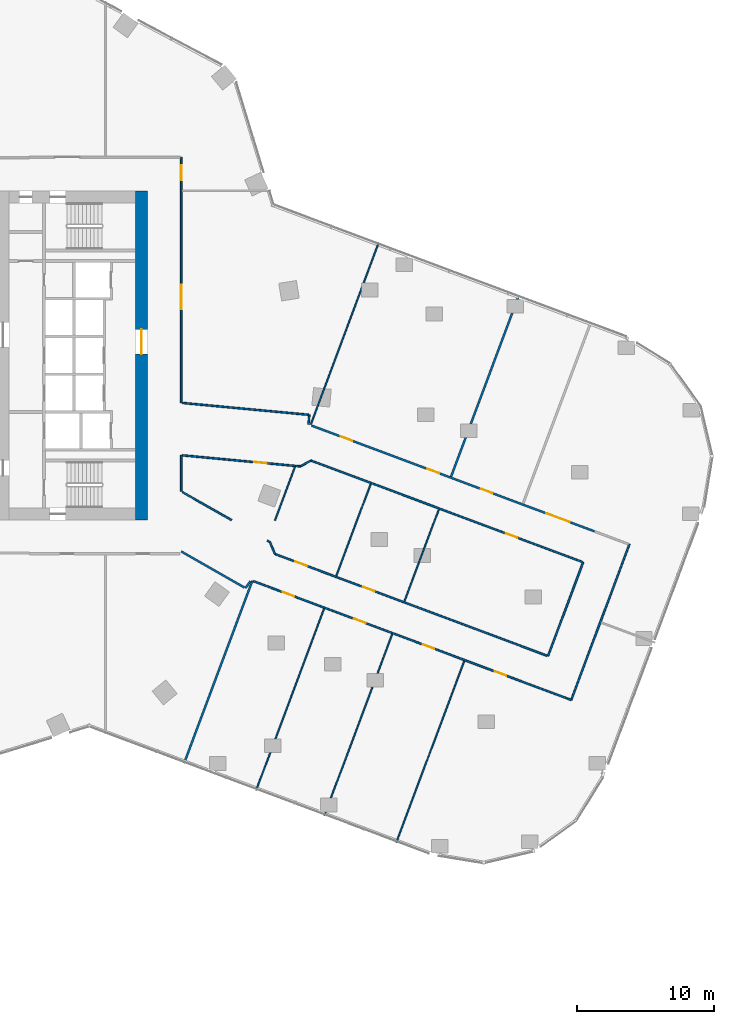
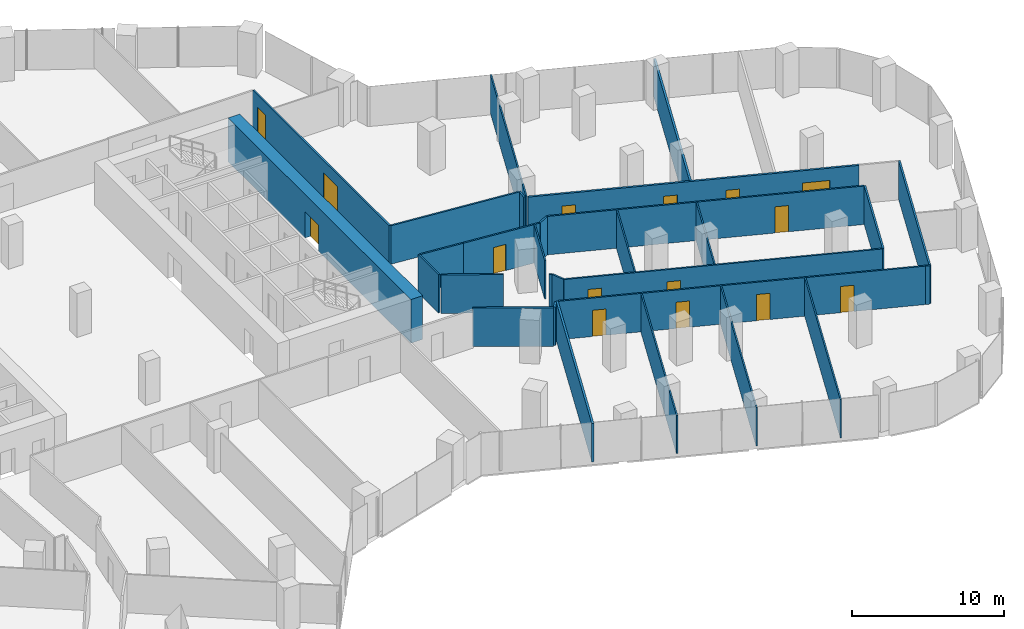
# One storey, part 26 of 31: 30 walls, 15 doors, 15 openings.
"""IFC4 building model written with IfcOpenShell, lengths in metres."""

from ifc_helpers import new_model, si_unit, direction, frame, frame_2d, origin, place, context, subcontext, project, spatial, rectangle, extrude, material, layer, layer_set, type_object, element, fill, save


model = new_model("IFC4")

# Units and contexts
model_context = context("Model", 3, precision=1e-05, world=origin(), true_north=direction((0.0, 1.0)))
body_context = subcontext(model_context, "Body", "Model", "MODEL_VIEW")
ifc_project = project(units=[si_unit("LENGTHUNIT", "METRE"), si_unit("AREAUNIT", "SQUARE_METRE"), si_unit("VOLUMEUNIT", "CUBIC_METRE"), si_unit("PLANEANGLEUNIT", "RADIAN"), si_unit("MASSUNIT", "GRAM", prefix="KILO")], contexts=[model_context])

# Site, building, storey
site_placement = place(None, origin())
site = spatial("IfcSite", under=ifc_project, at=site_placement, CompositionType="ELEMENT")
building_placement = place(site_placement, origin())
building = spatial("IfcBuilding", under=site, at=building_placement, Name="Orlundy Tower", CompositionType="ELEMENT")
storey_placement = place(building_placement, frame((0.0, 0.0, 84.199951171875)))
storey = spatial("IfcBuildingStorey", under=building, at=storey_placement, Name="L20", CompositionType="ELEMENT", Elevation=84.199951171875)

# Wall, opening, door
ifc_material_1 = material(Name="Concrete C80/95", Category="concrete")
ifc_layer_1 = layer(ifc_material_1, 0.89990234375)
ifc_layer_set_1 = layer_set([ifc_layer_1], Name="CORE WALL 900 C80/95")
wall_type_1 = type_object("IfcWallType", Name="CORE WALL 900 C80/95", PredefinedType="SHEAR", material=ifc_layer_set_1)
wall_1_placement = place(storey_placement, frame((18.550048828125, -12.0, 0.0), z_axis=(0.0, 0.0, 1.0), x_axis=(0.0, 1.0, 0.0)))
wall_1 = element("IfcWall", 1, at=wall_1_placement, inside=storey, type_object=wall_type_1, Name="Core wall E-E L20", PredefinedType="SHEAR", context=body_context, shape_type="SweptSolid", body=[
    extrude(rectangle(XDim=24.0, YDim=0.89990234375, at=frame_2d((12.0, 0.0))), origin(), (0.0, 0.0, 1.0), 3.5),
])
opening_1_placement = place(wall_1_placement, frame((12.10009765625, 0.0, 0.0)))
opening_1 = element("IfcOpeningElement", 2, at=opening_1_placement, cuts=wall_1, Name="Opening 17059", PredefinedType="OPENING", context=body_context, shape_type="SweptSolid", body=[
    extrude(rectangle(XDim=1.800048828125, YDim=2.10009765625, at=frame_2d((0.89990234375, 1.050048828125))), frame((0.0, 0.4599609375, 0.0), z_axis=(0.0, -1.0, 0.0), x_axis=(1.0, 0.0, 0.0)), (0.0, 0.0, 1.0), 0.919921875),
])
ifc_material_2 = material(Name="Timber door set", Category="wood")
door_type_1 = type_object("IfcDoorType", Name="Lobby Door 1800x2100", OperationType="DOUBLE_DOOR_DOUBLE_SWING", PredefinedType="DOOR", material=ifc_material_2)
door_1_placement = place(opening_1_placement, origin())
door_1 = element("IfcDoor", 3, at=door_1_placement, inside=storey, type_object=door_type_1, Name="Lift lobby door 17059", OperationType="SINGLE_SWING_RIGHT", OverallHeight=2.10009765625, OverallWidth=1.800048828125, PredefinedType="DOOR", context=body_context, shape_type="SweptSolid", body=[
    extrude(rectangle(XDim=1.800048828125, YDim=2.10009765625, at=frame_2d((0.89990234375, 1.050048828125))), frame((0.0, 0.02490234375, 0.0), z_axis=(0.0, -1.0, 0.0), x_axis=(1.0, 0.0, 0.0)), (0.0, 0.0, 1.0), 0.050048828125),
])
fill(opening_1, door_1)

# Walls
ifc_material_3 = material(Name="Gypsum board partition")
ifc_layer_2 = layer(ifc_material_3, 0.10009765625)
ifc_layer_set_2 = layer_set([ifc_layer_2], Name="Floor partition 100")
wall_type_2 = type_object("IfcWallType", Name="Floor partition 100", PredefinedType="PARTITIONING", material=ifc_layer_set_2)
wall_2_placement = place(storey_placement, frame((37.1201171875, -35.498046875, 0.0), z_axis=(0.0, 0.0, 1.0), x_axis=(0.350144786727, 0.936695590001, 0.0)))
element("IfcWall", 4, at=wall_2_placement, inside=storey, type_object=wall_type_2, Name="wall-int-L20-060", PredefinedType="PARTITIONING", context=body_context, shape_type="SweptSolid", body=[
    extrude(rectangle(XDim=14.136962890625, YDim=0.10009765625, at=frame_2d((7.068359375, 0.0))), origin(), (0.0, 0.0, 1.0), 3.080078125),
])
wall_3_placement = place(storey_placement, frame((31.8740234375, -33.535888671875, 0.0), z_axis=(0.0, 0.0, 1.0), x_axis=(0.350228055147, 0.936664459338, 0.0)))
element("IfcWall", 5, at=wall_3_placement, inside=storey, type_object=wall_type_2, Name="wall-int-L20-062", PredefinedType="PARTITIONING", context=body_context, shape_type="SweptSolid", body=[
    extrude(rectangle(XDim=14.13623046875, YDim=0.10009765625, at=frame_2d((7.068115234375, 0.0))), origin(), (0.0, 0.0, 1.0), 3.080078125),
])
wall_4_placement = place(storey_placement, frame((37.708984375, -17.927978515625, 0.0), z_axis=(0.0, 0.0, 1.0), x_axis=(0.350306504713, 0.93663512253, 0.0)))
element("IfcWall", 6, at=wall_4_placement, inside=storey, type_object=wall_type_2, Name="wall-int-L20-063", PredefinedType="PARTITIONING", context=body_context, shape_type="SweptSolid", body=[
    extrude(rectangle(XDim=7.173583984375, YDim=0.10009765625, at=frame_2d((3.5869140625, 0.0))), origin(), (0.0, 0.0, 1.0), 3.080078125),
])
wall_5_placement = place(storey_placement, frame((26.909912109375, -31.679931640625, 0.0), z_axis=(0.0, 0.0, 1.0), x_axis=(0.350182597647, 0.936681455088, 0.0)))
element("IfcWall", 7, at=wall_5_placement, inside=storey, type_object=wall_type_2, Name="wall-int-L20-065", PredefinedType="PARTITIONING", context=body_context, shape_type="SweptSolid", body=[
    extrude(rectangle(XDim=14.135986328125, YDim=0.10009765625, at=frame_2d((7.06787109375, 0.0))), origin(), (0.0, 0.0, 1.0), 3.080078125),
])
wall_6_placement = place(storey_placement, frame((32.7451171875, -16.072021484375, 0.0), z_axis=(0.0, 0.0, 1.0), x_axis=(0.350187067912, 0.936679783847, 0.0)))
element("IfcWall", 8, at=wall_6_placement, inside=storey, type_object=wall_type_2, Name="wall-int-L20-066", PredefinedType="PARTITIONING", context=body_context, shape_type="SweptSolid", body=[
    extrude(rectangle(XDim=7.173095703125, YDim=0.10009765625, at=frame_2d((3.58642578125, 0.0))), origin(), (0.0, 0.0, 1.0), 3.080078125),
])
wall_7_placement = place(storey_placement, frame((28.277099609375, -12.014892578125, 0.0), z_axis=(0.0, 0.0, 1.0), x_axis=(0.35011187795, 0.936707890924, 0.0)))
element("IfcWall", 9, at=wall_7_placement, inside=storey, type_object=wall_type_2, Name="wall-int-L20-068", PredefinedType="PARTITIONING", context=body_context, shape_type="SweptSolid", body=[
    extrude(rectangle(XDim=4.232666015625, YDim=0.10009765625, at=frame_2d((2.1162109375, 0.0))), origin(), (0.0, 0.0, 1.0), 3.080078125),
])
wall_8_placement = place(storey_placement, frame((30.89111328125, -5.02294921875, 0.0), z_axis=(0.0, 0.0, 1.0), x_axis=(0.350144786727, 0.936695590001, 0.0)))
element("IfcWall", 10, at=wall_8_placement, inside=storey, type_object=wall_type_2, Name="wall-int-L20-069", PredefinedType="PARTITIONING", context=body_context, shape_type="SweptSolid", body=[
    extrude(rectangle(XDim=14.136962890625, YDim=0.10009765625, at=frame_2d((7.068359375, 0.0))), origin(), (0.0, 0.0, 1.0), 3.080078125),
])
ifc_material_4 = material(Name="Gypsum board partition, double layer")
ifc_layer_3 = layer(ifc_material_4, 0.125)
ifc_layer_set_3 = layer_set([ifc_layer_3], Name="Floor partition 125")
wall_type_3 = type_object("IfcWallType", Name="Floor partition 125", PredefinedType="PARTITIONING", material=ifc_layer_set_3)
wall_9_placement = place(storey_placement, frame((27.72607421875, -13.488037109375, 0.0), z_axis=(0.0, 0.0, 1.0), x_axis=(0.867243838512, -0.497883645608, 0.0)))
element("IfcWall", 11, at=wall_9_placement, inside=storey, type_object=wall_type_3, Name="wall-int-L20-016", PredefinedType="PARTITIONING", context=body_context, shape_type="SweptSolid", body=[
    extrude(rectangle(XDim=0.2109375, YDim=0.125, at=frame_2d((0.10546875, 0.0))), origin(), (0.0, 0.0, 1.0), 3.080078125),
])
wall_10_placement = place(storey_placement, frame((21.54296875, -9.9599609375, 0.0), z_axis=(0.0, 0.0, 1.0), x_axis=(0.868534999161, -0.495627839445, 0.0)))
element("IfcWall", 12, at=wall_10_placement, inside=storey, type_object=wall_type_3, Name="wall-int-L20-017", PredefinedType="PARTITIONING", context=body_context, shape_type="SweptSolid", body=[
    extrude(rectangle(XDim=4.115966796875, YDim=0.125, at=frame_2d((2.05810546875, 0.0))), origin(), (0.0, 0.0, 1.0), 3.080078125),
])
wall_11_placement = place(storey_placement, frame((49.5869140625, -24.9990234375, 0.0), z_axis=(0.0, 0.0, 1.0), x_axis=(0.93595848705, -0.352110366957, 0.0)))
element("IfcWall", 13, at=wall_11_placement, inside=storey, type_object=wall_type_3, Name="wall-int-L20-018", PredefinedType="PARTITIONING", context=body_context, shape_type="SweptSolid", body=[
    extrude(rectangle(XDim=0.298095703125, YDim=0.125, at=frame_2d((0.14892578125, 0.0))), origin(), (0.0, 0.0, 1.0), 3.080078125),
])

# Wall, openings, doors
wall_12_placement = place(storey_placement, frame((49.5869140625, -24.9990234375, 0.0), z_axis=(0.0, 0.0, 1.0), x_axis=(-0.936679277277, 0.350188422882, 0.0)))
wall_12 = element("IfcWall", 14, at=wall_12_placement, inside=storey, type_object=wall_type_3, Name="wall-int-L20-019", PredefinedType="PARTITIONING", context=body_context, shape_type="SweptSolid", body=[
    extrude(rectangle(XDim=24.412841796875, YDim=0.125, at=frame_2d((12.20654296875, 0.0))), origin(), (0.0, 0.0, 1.0), 3.080078125),
])
opening_2_placement = place(wall_12_placement, frame((10.351318359375, 0.0, 0.0)))
opening_2 = element("IfcOpeningElement", 15, at=opening_2_placement, cuts=wall_12, Name="Opening 17105", PredefinedType="OPENING", context=body_context, shape_type="SweptSolid", body=[
    extrude(rectangle(XDim=0.89990234375, YDim=2.10009765625, at=frame_2d((0.449951171875, 1.050048828125))), frame((0.0, 0.072509765625, 0.0), z_axis=(0.0, -1.0, 0.0), x_axis=(1.0, 0.0, 0.0)), (0.0, 0.0, 1.0), 0.14501953125),
])
opening_3_placement = place(wall_12_placement, frame((4.751708984375, 0.0, 0.0)))
opening_3 = element("IfcOpeningElement", 16, at=opening_3_placement, cuts=wall_12, Name="Opening 17108", PredefinedType="OPENING", context=body_context, shape_type="SweptSolid", body=[
    extrude(rectangle(XDim=0.89990234375, YDim=2.10009765625, at=frame_2d((0.449951171875, 1.050048828125))), frame((0.0, 0.072509765625, 0.0), z_axis=(0.0, -1.0, 0.0), x_axis=(1.0, 0.0, 0.0)), (0.0, 0.0, 1.0), 0.14501953125),
])
opening_4_placement = place(wall_12_placement, frame((21.25146484375, 0.0, 0.0)))
opening_4 = element("IfcOpeningElement", 17, at=opening_4_placement, cuts=wall_12, Name="Opening 17109", PredefinedType="OPENING", context=body_context, shape_type="SweptSolid", body=[
    extrude(rectangle(XDim=0.89990234375, YDim=2.10009765625, at=frame_2d((0.449951171875, 1.050048828125))), frame((0.0, 0.072509765625, 0.0), z_axis=(0.0, -1.0, 0.0), x_axis=(1.0, 0.0, 0.0)), (0.0, 0.0, 1.0), 0.14501953125),
])
opening_5_placement = place(wall_12_placement, frame((15.700927734375, 0.0, 0.0)))
opening_5 = element("IfcOpeningElement", 18, at=opening_5_placement, cuts=wall_12, Name="Opening 17110", PredefinedType="OPENING", context=body_context, shape_type="SweptSolid", body=[
    extrude(rectangle(XDim=0.89990234375, YDim=2.10009765625, at=frame_2d((0.449951171875, 1.050048828125))), frame((0.0, 0.072509765625, 0.0), z_axis=(0.0, -1.0, 0.0), x_axis=(1.0, 0.0, 0.0)), (0.0, 0.0, 1.0), 0.14501953125),
])
ifc_material_5 = material(Name="Timber door leaf", Category="wood")
door_type_2 = type_object("IfcDoorType", Name="Floor door single 900 FD30S", OperationType="NOTDEFINED", PredefinedType="DOOR", material=ifc_material_5)
door_2_placement = place(opening_2_placement, origin())
door_2 = element("IfcDoor", 19, at=door_2_placement, inside=storey, type_object=door_type_2, Name="Door 17105", OperationType="SINGLE_SWING_LEFT", OverallHeight=2.10009765625, OverallWidth=0.89990234375, PredefinedType="DOOR", context=body_context, shape_type="SweptSolid", body=[
    extrude(rectangle(XDim=0.89990234375, YDim=2.10009765625, at=frame_2d((0.449951171875, 1.050048828125))), frame((0.0, 0.02490234375, 0.0), z_axis=(0.0, -1.0, 0.0), x_axis=(1.0, 0.0, 0.0)), (0.0, 0.0, 1.0), 0.050048828125),
])
fill(opening_2, door_2)
door_3_placement = place(opening_3_placement, origin())
door_3 = element("IfcDoor", 20, at=door_3_placement, inside=storey, type_object=door_type_2, Name="Door 17108", OperationType="SINGLE_SWING_LEFT", OverallHeight=2.10009765625, OverallWidth=0.89990234375, PredefinedType="DOOR", context=body_context, shape_type="SweptSolid", body=[
    extrude(rectangle(XDim=0.89990234375, YDim=2.10009765625, at=frame_2d((0.449951171875, 1.050048828125))), frame((0.0, 0.02490234375, 0.0), z_axis=(0.0, -1.0, 0.0), x_axis=(1.0, 0.0, 0.0)), (0.0, 0.0, 1.0), 0.050048828125),
])
fill(opening_3, door_3)
door_4_placement = place(opening_4_placement, origin())
door_4 = element("IfcDoor", 21, at=door_4_placement, inside=storey, type_object=door_type_2, Name="Door 17109", OperationType="SINGLE_SWING_RIGHT", OverallHeight=2.10009765625, OverallWidth=0.89990234375, PredefinedType="DOOR", context=body_context, shape_type="SweptSolid", body=[
    extrude(rectangle(XDim=0.89990234375, YDim=2.10009765625, at=frame_2d((0.449951171875, 1.050048828125))), frame((0.0, 0.02490234375, 0.0), z_axis=(0.0, -1.0, 0.0), x_axis=(1.0, 0.0, 0.0)), (0.0, 0.0, 1.0), 0.050048828125),
])
fill(opening_4, door_4)
door_5_placement = place(opening_5_placement, origin())
door_5 = element("IfcDoor", 22, at=door_5_placement, inside=storey, type_object=door_type_2, Name="Door 17110", OperationType="SINGLE_SWING_RIGHT", OverallHeight=2.10009765625, OverallWidth=0.89990234375, PredefinedType="DOOR", context=body_context, shape_type="SweptSolid", body=[
    extrude(rectangle(XDim=0.89990234375, YDim=2.10009765625, at=frame_2d((0.449951171875, 1.050048828125))), frame((0.0, 0.02490234375, 0.0), z_axis=(0.0, -1.0, 0.0), x_axis=(1.0, 0.0, 0.0)), (0.0, 0.0, 1.0), 0.050048828125),
])
fill(opening_5, door_5)

wall_13_placement = place(storey_placement, frame((28.277099609375, -14.468994140625, 0.0), z_axis=(0.0, 0.0, 1.0), x_axis=(0.936688160915, -0.350164660128, 0.0)))
wall_13 = element("IfcWall", 23, at=wall_13_placement, inside=storey, type_object=wall_type_3, Name="wall-int-L20-020", PredefinedType="PARTITIONING", context=body_context, shape_type="SweptSolid", body=[
    extrude(rectangle(XDim=21.184326171875, YDim=0.125, at=frame_2d((10.59228515625, 0.0))), origin(), (0.0, 0.0, 1.0), 3.080078125),
])
opening_6_placement = place(wall_13_placement, frame((1.58740234375, 0.0, 0.0)))
opening_6 = element("IfcOpeningElement", 24, at=opening_6_placement, cuts=wall_13, Name="Opening 17102", PredefinedType="OPENING", context=body_context, shape_type="SweptSolid", body=[
    extrude(rectangle(XDim=0.89990234375, YDim=2.10009765625, at=frame_2d((0.449951171875, 1.050048828125))), frame((0.0, 0.072509765625, 0.0), z_axis=(0.0, -1.0, 0.0), x_axis=(1.0, 0.0, 0.0)), (0.0, 0.0, 1.0), 0.14501953125),
])
opening_7_placement = place(wall_13_placement, frame((6.84619140625, 0.0, 0.0)))
opening_7 = element("IfcOpeningElement", 25, at=opening_7_placement, cuts=wall_13, Name="Opening 17103", PredefinedType="OPENING", context=body_context, shape_type="SweptSolid", body=[
    extrude(rectangle(XDim=0.89990234375, YDim=2.10009765625, at=frame_2d((0.449951171875, 1.050048828125))), frame((0.0, 0.072509765625, 0.0), z_axis=(0.0, -1.0, 0.0), x_axis=(1.0, 0.0, 0.0)), (0.0, 0.0, 1.0), 0.14501953125),
])
door_6_placement = place(opening_6_placement, origin())
door_6 = element("IfcDoor", 26, at=door_6_placement, inside=storey, type_object=door_type_2, Name="Door 17102", OperationType="SINGLE_SWING_LEFT", OverallHeight=2.10009765625, OverallWidth=0.89990234375, PredefinedType="DOOR", context=body_context, shape_type="SweptSolid", body=[
    extrude(rectangle(XDim=0.89990234375, YDim=2.10009765625, at=frame_2d((0.449951171875, 1.050048828125))), frame((0.0, 0.02490234375, 0.0), z_axis=(0.0, -1.0, 0.0), x_axis=(1.0, 0.0, 0.0)), (0.0, 0.0, 1.0), 0.050048828125),
])
fill(opening_6, door_6)
door_7_placement = place(opening_7_placement, origin())
door_7 = element("IfcDoor", 27, at=door_7_placement, inside=storey, type_object=door_type_2, Name="Door 17103", OperationType="SINGLE_SWING_LEFT", OverallHeight=2.10009765625, OverallWidth=0.89990234375, PredefinedType="DOOR", context=body_context, shape_type="SweptSolid", body=[
    extrude(rectangle(XDim=0.89990234375, YDim=2.10009765625, at=frame_2d((0.449951171875, 1.050048828125))), frame((0.0, 0.02490234375, 0.0), z_axis=(0.0, -1.0, 0.0), x_axis=(1.0, 0.0, 0.0)), (0.0, 0.0, 1.0), 0.050048828125),
])
fill(opening_7, door_7)

# Wall, opening, door
wall_14_placement = place(storey_placement, frame((50.675048828125, -15.050048828125, 0.0), z_axis=(0.0, 0.0, 1.0), x_axis=(-0.936673902411, 0.350202799165, 0.0)))
wall_14 = element("IfcWall", 28, at=wall_14_placement, inside=storey, type_object=wall_type_3, Name="wall-int-L20-022", PredefinedType="PARTITIONING", context=body_context, shape_type="SweptSolid", body=[
    extrude(rectangle(XDim=21.1025390625, YDim=0.125, at=frame_2d((10.55126953125, 0.0))), origin(), (0.0, 0.0, 1.0), 3.080078125),
])
opening_8_placement = place(wall_14_placement, frame((5.037353515625, 0.0, 0.0)))
opening_8 = element("IfcOpeningElement", 29, at=opening_8_placement, cuts=wall_14, Name="Opening 17106", PredefinedType="OPENING", context=body_context, shape_type="SweptSolid", body=[
    extrude(rectangle(XDim=0.89990234375, YDim=2.10009765625, at=frame_2d((0.449951171875, 1.050048828125))), frame((0.0, 0.072509765625, 0.0), z_axis=(0.0, -1.0, 0.0), x_axis=(1.0, 0.0, 0.0)), (0.0, 0.0, 1.0), 0.14501953125),
])
door_8_placement = place(opening_8_placement, origin())
door_8 = element("IfcDoor", 30, at=door_8_placement, inside=storey, type_object=door_type_2, Name="Door 17106", OperationType="SINGLE_SWING_LEFT", OverallHeight=2.10009765625, OverallWidth=0.89990234375, PredefinedType="DOOR", context=body_context, shape_type="SweptSolid", body=[
    extrude(rectangle(XDim=0.89990234375, YDim=2.10009765625, at=frame_2d((0.449951171875, 1.050048828125))), frame((0.0, 0.02490234375, 0.0), z_axis=(0.0, -1.0, 0.0), x_axis=(1.0, 0.0, 0.0)), (0.0, 0.0, 1.0), 0.050048828125),
])
fill(opening_8, door_8)

wall_15_placement = place(storey_placement, frame((29.69091796875, -8.0439453125, 0.0), z_axis=(0.0, 0.0, 1.0), x_axis=(-0.995633116016, 0.093352548402, 0.0)))
wall_15 = element("IfcWall", 31, at=wall_15_placement, inside=storey, type_object=wall_type_3, Name="wall-int-L20-025", PredefinedType="PARTITIONING", context=body_context, shape_type="SweptSolid", body=[
    extrude(rectangle(XDim=5.110107421875, YDim=0.125, at=frame_2d((2.55517578125, 0.0))), origin(), (0.0, 0.0, 1.0), 3.080078125),
])
opening_9_placement = place(wall_15_placement, frame((2.03125, 0.0, 0.0)))
opening_9 = element("IfcOpeningElement", 32, at=opening_9_placement, cuts=wall_15, Name="Opening 17130", PredefinedType="OPENING", context=body_context, shape_type="SweptSolid", body=[
    extrude(rectangle(XDim=0.89990234375, YDim=2.10009765625, at=frame_2d((0.449951171875, 1.050048828125))), frame((0.0, 0.072509765625, 0.0), z_axis=(0.0, -1.0, 0.0), x_axis=(1.0, 0.0, 0.0)), (0.0, 0.0, 1.0), 0.14501953125),
])
door_9_placement = place(opening_9_placement, origin())
door_9 = element("IfcDoor", 33, at=door_9_placement, inside=storey, type_object=door_type_2, Name="Door 17130", OperationType="SINGLE_SWING_LEFT", OverallHeight=2.10009765625, OverallWidth=0.89990234375, PredefinedType="DOOR", context=body_context, shape_type="SweptSolid", body=[
    extrude(rectangle(XDim=0.89990234375, YDim=2.10009765625, at=frame_2d((0.449951171875, 1.050048828125))), frame((0.0, 0.02490234375, 0.0), z_axis=(0.0, -1.0, 0.0), x_axis=(1.0, 0.0, 0.0)), (0.0, 0.0, 1.0), 0.050048828125),
])
fill(opening_9, door_9)

# Walls
wall_16_placement = place(storey_placement, frame((21.511962890625, -3.458984375, 0.0), z_axis=(0.0, 0.0, 1.0), x_axis=(0.995629319732, -0.093393028057, 0.0)))
element("IfcWall", 34, at=wall_16_placement, inside=storey, type_object=wall_type_3, Name="wall-int-L20-026", PredefinedType="PARTITIONING", context=body_context, shape_type="SweptSolid", body=[
    extrude(rectangle(XDim=9.25146484375, YDim=0.125, at=frame_2d((4.625732421875, 0.0))), origin(), (0.0, 0.0, 1.0), 3.080078125),
])
wall_17_placement = place(storey_placement, frame((21.511962890625, -7.277099609375, 0.0), z_axis=(0.0, 0.0, 1.0), x_axis=(0.99566045899, -0.093060466381, 0.0)))
element("IfcWall", 35, at=wall_17_placement, inside=storey, type_object=wall_type_3, Name="wall-int-L20-027", PredefinedType="PARTITIONING", context=body_context, shape_type="SweptSolid", body=[
    extrude(rectangle(XDim=3.103515625, YDim=0.125, at=frame_2d((1.5517578125, 0.0))), origin(), (0.0, 0.0, 1.0), 3.080078125),
])
wall_18_placement = place(storey_placement, frame((29.759033203125, -8.050048828125, 0.0), z_axis=(0.0, 0.0, 1.0), x_axis=(0.995670146901, -0.092956756453, 0.0)))
element("IfcWall", 36, at=wall_18_placement, inside=storey, type_object=wall_type_3, Name="wall-int-L20-028", PredefinedType="PARTITIONING", context=body_context, shape_type="SweptSolid", body=[
    extrude(rectangle(XDim=0.3544921875, YDim=0.125, at=frame_2d((0.17724609375, 0.0))), origin(), (0.0, 0.0, 1.0), 3.080078125),
])
wall_19_placement = place(storey_placement, frame((28.277099609375, -14.468994140625, 0.0), z_axis=(0.0, 0.0, 1.0), x_axis=(-0.386952526605, 0.922099637867, 0.0)))
element("IfcWall", 37, at=wall_19_placement, inside=storey, type_object=wall_type_3, Name="wall-int-L20-057", PredefinedType="PARTITIONING", context=body_context, shape_type="SweptSolid", body=[
    extrude(rectangle(XDim=0.948974609375, YDim=0.125, at=frame_2d((0.474609375, 0.0))), origin(), (0.0, 0.0, 1.0), 3.080078125),
])
wall_20_placement = place(storey_placement, frame((49.866943359375, -25.10400390625, 0.0), z_axis=(0.0, 0.0, 1.0), x_axis=(0.350035835617, 0.936736309632, 0.0)))
element("IfcWall", 38, at=wall_20_placement, inside=storey, type_object=wall_type_3, Name="wall-int-L20-058", PredefinedType="PARTITIONING", context=body_context, shape_type="SweptSolid", body=[
    extrude(rectangle(XDim=12.13037109375, YDim=0.125, at=frame_2d((6.065185546875, 0.0))), origin(), (0.0, 0.0, 1.0), 3.080078125),
])
wall_21_placement = place(storey_placement, frame((48.177978515625, -21.908935546875, 0.0), z_axis=(0.0, 0.0, 1.0), x_axis=(0.350170212359, 0.93668608529, 0.0)))
element("IfcWall", 39, at=wall_21_placement, inside=storey, type_object=wall_type_3, Name="wall-int-L20-059", PredefinedType="PARTITIONING", context=body_context, shape_type="SweptSolid", body=[
    extrude(rectangle(XDim=7.299072265625, YDim=0.125, at=frame_2d((3.6494140625, 0.0))), origin(), (0.0, 0.0, 1.0), 3.080078125),
])
wall_22_placement = place(storey_placement, frame((30.719970703125, -5.02587890625, 0.0), z_axis=(0.0, 0.0, 1.0), x_axis=(0.092800329534, 0.995684738679, 0.0)))
element("IfcWall", 40, at=wall_22_placement, inside=storey, type_object=wall_type_3, Name="wall-int-L20-073", PredefinedType="PARTITIONING", context=body_context, shape_type="SweptSolid", body=[
    extrude(rectangle(XDim=0.69970703125, YDim=0.125, at=frame_2d((0.349853515625, 0.0))), origin(), (0.0, 0.0, 1.0), 3.080078125),
])
wall_23_placement = place(storey_placement, frame((30.113037109375, -8.0830078125, 0.0), z_axis=(0.0, 0.0, 1.0), x_axis=(0.882989439454, 0.469392852323, 0.0)))
element("IfcWall", 41, at=wall_23_placement, inside=storey, type_object=wall_type_3, Name="wall-int-L20-074", PredefinedType="PARTITIONING", context=body_context, shape_type="SweptSolid", body=[
    extrude(rectangle(XDim=0.9013671875, YDim=0.125, at=frame_2d((0.45068359375, 0.0))), origin(), (0.0, 0.0, 1.0), 3.080078125),
])
wall_24_placement = place(storey_placement, frame((21.449951171875, -9.906982421875, 0.0), z_axis=(0.0, 0.0, 1.0), x_axis=(0.0, 1.0, 0.0)))
element("IfcWall", 42, at=wall_24_placement, inside=storey, type_object=wall_type_3, Name="wall-int-L20-077", PredefinedType="PARTITIONING", context=body_context, shape_type="SweptSolid", body=[
    extrude(rectangle(XDim=2.635986328125, YDim=0.125, at=frame_2d((1.31787109375, 0.0))), origin(), (0.0, 0.0, 1.0), 3.080078125),
])

# Wall, openings, doors
wall_25_placement = place(storey_placement, frame((21.449951171875, 14.450927734375, 0.0), z_axis=(0.0, 0.0, 1.0), x_axis=(0.0, -1.0, 0.0)))
wall_25 = element("IfcWall", 43, at=wall_25_placement, inside=storey, type_object=wall_type_3, Name="wall-int-L20-078", PredefinedType="PARTITIONING", context=body_context, shape_type="SweptSolid", body=[
    extrude(rectangle(XDim=17.90380859375, YDim=0.125, at=frame_2d((8.951904296875, 0.0))), origin(), (0.0, 0.0, 1.0), 3.080078125),
])
opening_10_placement = place(wall_25_placement, frame((9.301025390625, 0.0, 0.0)))
opening_10 = element("IfcOpeningElement", 44, at=opening_10_placement, cuts=wall_25, Name="Opening 17131", PredefinedType="OPENING", context=body_context, shape_type="SweptSolid", body=[
    extrude(rectangle(XDim=1.800048828125, YDim=2.10009765625, at=frame_2d((0.89990234375, 1.050048828125))), frame((0.0, 0.072509765625, 0.0), z_axis=(0.0, -1.0, 0.0), x_axis=(1.0, 0.0, 0.0)), (0.0, 0.0, 1.0), 0.14501953125),
])
opening_11_placement = place(wall_25_placement, frame((0.60009765625, 0.0, 0.0)))
opening_11 = element("IfcOpeningElement", 45, at=opening_11_placement, cuts=wall_25, Name="Opening 17132", PredefinedType="OPENING", context=body_context, shape_type="SweptSolid", body=[
    extrude(rectangle(XDim=1.10009765625, YDim=2.10009765625, at=frame_2d((0.550048828125, 1.050048828125))), frame((0.0, 0.072509765625, 0.0), z_axis=(0.0, -1.0, 0.0), x_axis=(1.0, 0.0, 0.0)), (0.0, 0.0, 1.0), 0.14501953125),
])
ifc_material_6 = material(Name="Timber door leaf", Category="wood")
door_type_3 = type_object("IfcDoorType", Name="Floor door double 1800 FD30S", OperationType="NOTDEFINED", PredefinedType="DOOR", material=ifc_material_6)
door_10_placement = place(opening_10_placement, origin())
door_10 = element("IfcDoor", 46, at=door_10_placement, inside=storey, type_object=door_type_3, Name="Door 17131", OperationType="DOUBLE_DOOR_SINGLE_SWING", OverallHeight=2.10009765625, OverallWidth=1.800048828125, PredefinedType="DOOR", context=body_context, shape_type="SweptSolid", body=[
    extrude(rectangle(XDim=1.800048828125, YDim=2.10009765625, at=frame_2d((0.89990234375, 1.050048828125))), frame((0.0, 0.02490234375, 0.0), z_axis=(0.0, -1.0, 0.0), x_axis=(1.0, 0.0, 0.0)), (0.0, 0.0, 1.0), 0.050048828125),
])
fill(opening_10, door_10)
ifc_material_7 = material(Name="Timber door leaf", Category="wood")
door_type_4 = type_object("IfcDoorType", Name="Floor door xwide 1100 FD30S", OperationType="NOTDEFINED", PredefinedType="DOOR", material=ifc_material_7)
door_11_placement = place(opening_11_placement, origin())
door_11 = element("IfcDoor", 47, at=door_11_placement, inside=storey, type_object=door_type_4, Name="Door 17132", OperationType="SINGLE_SWING_LEFT", OverallHeight=2.10009765625, OverallWidth=1.10009765625, PredefinedType="DOOR", context=body_context, shape_type="SweptSolid", body=[
    extrude(rectangle(XDim=1.10009765625, YDim=2.10009765625, at=frame_2d((0.550048828125, 1.050048828125))), frame((0.0, 0.02490234375, 0.0), z_axis=(0.0, -1.0, 0.0), x_axis=(1.0, 0.0, 0.0)), (0.0, 0.0, 1.0), 0.050048828125),
])
fill(opening_11, door_11)

# Wall
ifc_material_8 = material(Name="Blockwork shaft wall", Category="masonry")
ifc_layer_4 = layer(ifc_material_8, 0.14990234375)
ifc_layer_set_4 = layer_set([ifc_layer_4], Name="Floor shaft wall 150")
wall_type_4 = type_object("IfcWallType", Name="Floor shaft wall 150", PredefinedType="PARTITIONING", material=ifc_layer_set_4)
wall_26_placement = place(storey_placement, frame((21.449951171875, -14.282958984375, 0.0), z_axis=(0.0, 0.0, 1.0), x_axis=(0.868472254755, -0.495737776169, 0.0)))
element("IfcWall", 48, at=wall_26_placement, inside=storey, type_object=wall_type_4, Name="wall-int-L20-015", PredefinedType="PARTITIONING", context=body_context, shape_type="SweptSolid", body=[
    extrude(rectangle(XDim=5.309326171875, YDim=0.14990234375, at=frame_2d((2.65478515625, 0.0))), origin(), (0.0, 0.0, 1.0), 3.080078125),
])

# Wall, openings, doors
wall_27_placement = place(storey_placement, frame((30.948974609375, -5.112060546875, 0.0), z_axis=(0.0, 0.0, 1.0), x_axis=(0.936693201773, -0.350151175568, 0.0)))
wall_27 = element("IfcWall", 49, at=wall_27_placement, inside=storey, type_object=wall_type_4, Name="wall-int-L20-023", PredefinedType="PARTITIONING", context=body_context, shape_type="SweptSolid", body=[
    extrude(rectangle(XDim=22.01904296875, YDim=0.14990234375, at=frame_2d((11.009521484375, 0.0))), origin(), (0.0, 0.0, 1.0), 3.080078125),
])
opening_12_placement = place(wall_27_placement, frame((2.264892578125, 0.0, 0.0)))
opening_12 = element("IfcOpeningElement", 50, at=opening_12_placement, cuts=wall_27, Name="Opening 17100", PredefinedType="OPENING", context=body_context, shape_type="SweptSolid", body=[
    extrude(rectangle(XDim=0.89990234375, YDim=2.10009765625, at=frame_2d((0.449951171875, 1.050048828125))), frame((0.0, 0.0849609375, 0.0), z_axis=(0.0, -1.0, 0.0), x_axis=(1.0, 0.0, 0.0)), (0.0, 0.0, 1.0), 0.169921875),
])
opening_13_placement = place(wall_27_placement, frame((9.021484375, 0.0, 0.0)))
opening_13 = element("IfcOpeningElement", 51, at=opening_13_placement, cuts=wall_27, Name="Opening 17101", PredefinedType="OPENING", context=body_context, shape_type="SweptSolid", body=[
    extrude(rectangle(XDim=0.89990234375, YDim=2.10009765625, at=frame_2d((0.449951171875, 1.050048828125))), frame((0.0, 0.0849609375, 0.0), z_axis=(0.0, -1.0, 0.0), x_axis=(1.0, 0.0, 0.0)), (0.0, 0.0, 1.0), 0.169921875),
])
opening_14_placement = place(wall_27_placement, frame((13.17138671875, 0.0, 0.0)))
opening_14 = element("IfcOpeningElement", 52, at=opening_14_placement, cuts=wall_27, Name="Opening 17104", PredefinedType="OPENING", context=body_context, shape_type="SweptSolid", body=[
    extrude(rectangle(XDim=0.89990234375, YDim=2.10009765625, at=frame_2d((0.449951171875, 1.050048828125))), frame((0.0, 0.0849609375, 0.0), z_axis=(0.0, -1.0, 0.0), x_axis=(1.0, 0.0, 0.0)), (0.0, 0.0, 1.0), 0.169921875),
])
opening_15_placement = place(wall_27_placement, frame((18.27099609375, 0.0, 0.0)))
opening_15 = element("IfcOpeningElement", 53, at=opening_15_placement, cuts=wall_27, Name="Opening 17107", PredefinedType="OPENING", context=body_context, shape_type="SweptSolid", body=[
    extrude(rectangle(XDim=1.800048828125, YDim=2.10009765625, at=frame_2d((0.89990234375, 1.050048828125))), frame((0.0, 0.0849609375, 0.0), z_axis=(0.0, -1.0, 0.0), x_axis=(1.0, 0.0, 0.0)), (0.0, 0.0, 1.0), 0.169921875),
])
ifc_material_9 = material(Name="Timber door leaf", Category="wood")
door_type_5 = type_object("IfcDoorType", Name="Floor door double 1800 FD60", OperationType="NOTDEFINED", PredefinedType="DOOR", material=ifc_material_9)
door_12_placement = place(opening_15_placement, origin())
door_12 = element("IfcDoor", 54, at=door_12_placement, inside=storey, type_object=door_type_5, Name="Door 17107", OperationType="DOUBLE_DOOR_SINGLE_SWING", OverallHeight=2.10009765625, OverallWidth=1.800048828125, PredefinedType="DOOR", context=body_context, shape_type="SweptSolid", body=[
    extrude(rectangle(XDim=1.800048828125, YDim=2.10009765625, at=frame_2d((0.89990234375, 1.050048828125))), frame((0.0, 0.02490234375, 0.0), z_axis=(0.0, -1.0, 0.0), x_axis=(1.0, 0.0, 0.0)), (0.0, 0.0, 1.0), 0.050048828125),
])
fill(opening_15, door_12)
ifc_material_10 = material(Name="Timber door leaf", Category="wood")
door_type_6 = type_object("IfcDoorType", Name="Floor door single 900 FD60", OperationType="NOTDEFINED", PredefinedType="DOOR", material=ifc_material_10)
door_13_placement = place(opening_12_placement, origin())
door_13 = element("IfcDoor", 55, at=door_13_placement, inside=storey, type_object=door_type_6, Name="Door 17100", OperationType="SINGLE_SWING_LEFT", OverallHeight=2.10009765625, OverallWidth=0.89990234375, PredefinedType="DOOR", context=body_context, shape_type="SweptSolid", body=[
    extrude(rectangle(XDim=0.89990234375, YDim=2.10009765625, at=frame_2d((0.449951171875, 1.050048828125))), frame((0.0, 0.02490234375, 0.0), z_axis=(0.0, -1.0, 0.0), x_axis=(1.0, 0.0, 0.0)), (0.0, 0.0, 1.0), 0.050048828125),
])
fill(opening_12, door_13)
door_14_placement = place(opening_13_placement, origin())
door_14 = element("IfcDoor", 56, at=door_14_placement, inside=storey, type_object=door_type_6, Name="Door 17101", OperationType="SINGLE_SWING_LEFT", OverallHeight=2.10009765625, OverallWidth=0.89990234375, PredefinedType="DOOR", context=body_context, shape_type="SweptSolid", body=[
    extrude(rectangle(XDim=0.89990234375, YDim=2.10009765625, at=frame_2d((0.449951171875, 1.050048828125))), frame((0.0, 0.02490234375, 0.0), z_axis=(0.0, -1.0, 0.0), x_axis=(1.0, 0.0, 0.0)), (0.0, 0.0, 1.0), 0.050048828125),
])
fill(opening_13, door_14)
door_15_placement = place(opening_14_placement, origin())
door_15 = element("IfcDoor", 57, at=door_15_placement, inside=storey, type_object=door_type_6, Name="Door 17104", OperationType="SINGLE_SWING_RIGHT", OverallHeight=2.10009765625, OverallWidth=0.89990234375, PredefinedType="DOOR", context=body_context, shape_type="SweptSolid", body=[
    extrude(rectangle(XDim=0.89990234375, YDim=2.10009765625, at=frame_2d((0.449951171875, 1.050048828125))), frame((0.0, 0.02490234375, 0.0), z_axis=(0.0, -1.0, 0.0), x_axis=(1.0, 0.0, 0.0)), (0.0, 0.0, 1.0), 0.050048828125),
])
fill(opening_14, door_15)

# Walls
wall_28_placement = place(storey_placement, frame((26.1259765625, -16.951904296875, 0.0), z_axis=(0.0, 0.0, 1.0), x_axis=(0.590016589342, 0.807391122258, 0.0)))
element("IfcWall", 58, at=wall_28_placement, inside=storey, type_object=wall_type_4, Name="wall-int-L20-046", PredefinedType="PARTITIONING", context=body_context, shape_type="SweptSolid", body=[
    extrude(rectangle(XDim=0.62890625, YDim=0.14990234375, at=frame_2d((0.314453125, 0.0))), origin(), (0.0, 0.0, 1.0), 3.080078125),
])
wall_29_placement = place(storey_placement, frame((41.111083984375, -8.8310546875, 0.0), z_axis=(0.0, 0.0, 1.0), x_axis=(0.350164754545, 0.936688125618, 0.0)))
element("IfcWall", 59, at=wall_29_placement, inside=storey, type_object=wall_type_4, Name="wall-int-L20-064", PredefinedType="PARTITIONING", context=body_context, shape_type="SweptSolid", body=[
    extrude(rectangle(XDim=14.124267578125, YDim=0.14990234375, at=frame_2d((7.06201171875, 0.0))), origin(), (0.0, 0.0, 1.0), 3.080078125),
])
wall_30_placement = place(storey_placement, frame((21.657958984375, -29.717041015625, 0.0), z_axis=(0.0, 0.0, 1.0), x_axis=(0.350235805965, 0.936661561195, 0.0)))
element("IfcWall", 60, at=wall_30_placement, inside=storey, type_object=wall_type_4, Name="wall-int-L20-067", PredefinedType="PARTITIONING", context=body_context, shape_type="SweptSolid", body=[
    extrude(rectangle(XDim=14.199462890625, YDim=0.14990234375, at=frame_2d((7.099609375, 0.0))), origin(), (0.0, 0.0, 1.0), 3.080078125),
])

save(model, "model.ifc")
